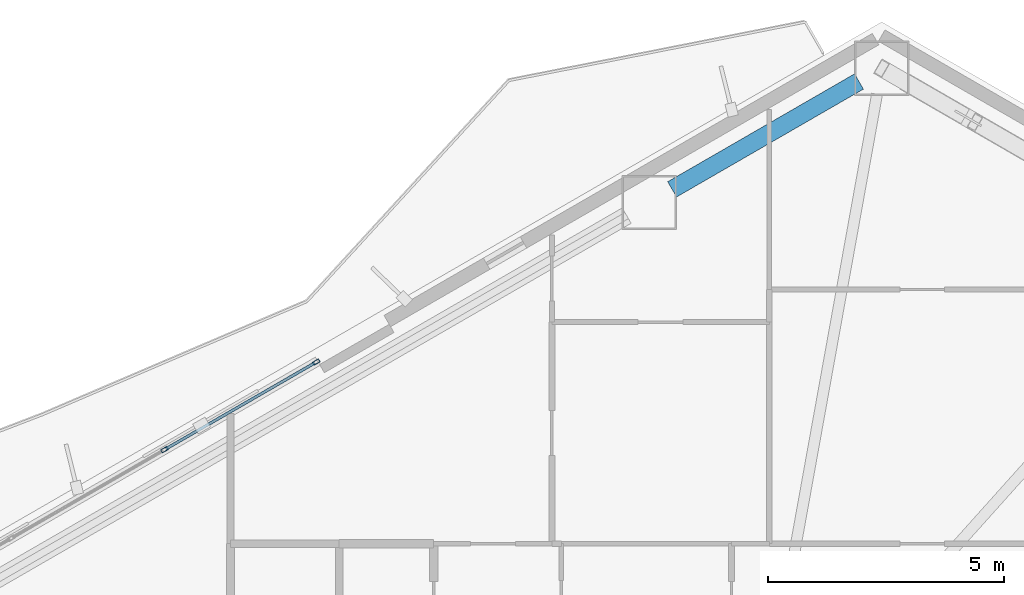
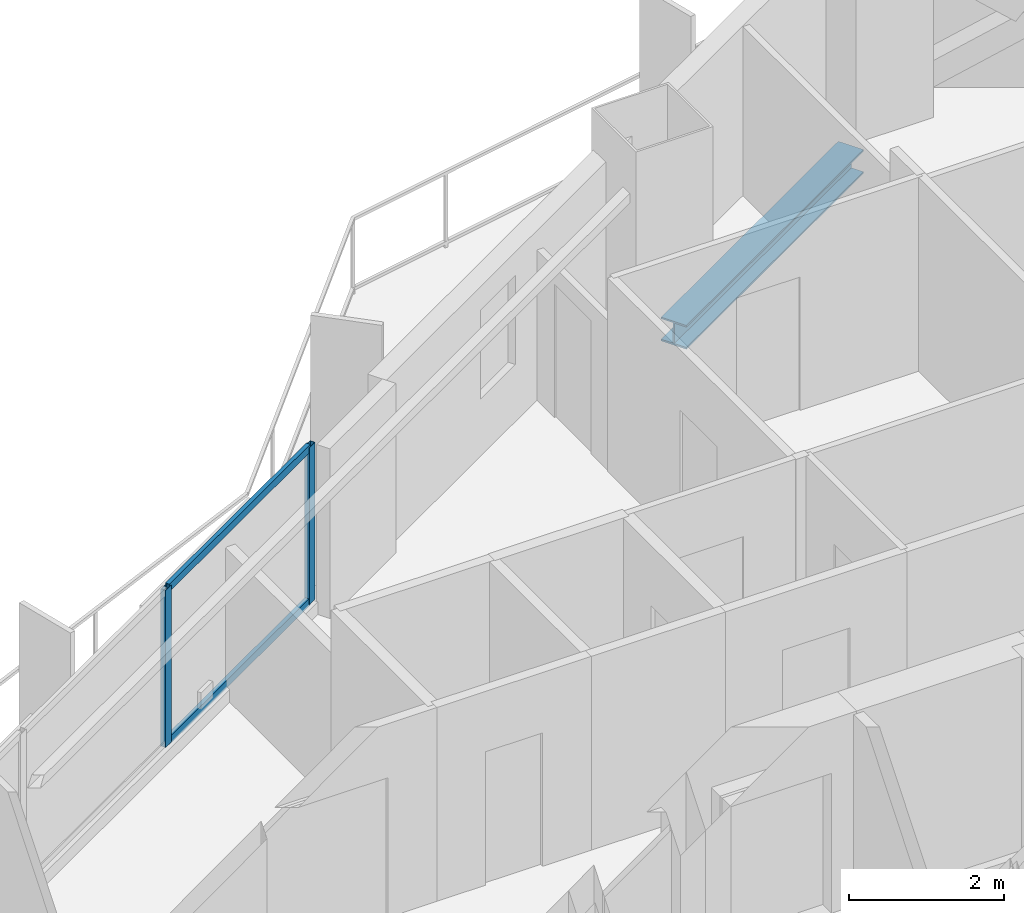
# One storey, part 13 of 23: 4 members, 1 beam, 1 element without a shape of its own.
"""IFC4 building model written with IfcOpenShell, lengths in metres."""

from ifc_helpers import new_model, si_unit, direction, frame, origin, origin_2d, place, context, subcontext, project, spatial, hollow_rectangle, i_section, extrude, material, layer, layer_set, material_profile, profile_set, type_object, element, aggregate, save


model = new_model("IFC4")

# Units and contexts
model_context = context("Model", 3, precision=1e-05, world=origin(), true_north=direction((0.0, 1.0)))
body_context = subcontext(model_context, "Body", "Model", "MODEL_VIEW")
ifc_project = project(units=[si_unit("LENGTHUNIT", "METRE"), si_unit("AREAUNIT", "SQUARE_METRE"), si_unit("VOLUMEUNIT", "CUBIC_METRE"), si_unit("PLANEANGLEUNIT", "RADIAN"), si_unit("MASSUNIT", "GRAM", prefix="KILO")], contexts=[model_context])

# Site, building, storey
site_placement = place(None, origin())
site = spatial("IfcSite", under=ifc_project, at=site_placement, CompositionType="ELEMENT")
building_placement = place(site_placement, origin())
building = spatial("IfcBuilding", under=site, at=building_placement, Name="Mersakhor Tower and Convention Hall", CompositionType="ELEMENT")
storey_placement = place(building_placement, frame((0.0, 0.0, 73.5)))
storey = spatial("IfcBuildingStorey", under=building, at=storey_placement, Name="L19", CompositionType="ELEMENT", Elevation=73.5)

# Beam
ifc_material_1 = material(Name="Steel S355", Category="steel")
ifc_material_profile_1 = material_profile(ifc_material_1, i_section(OverallWidth=0.374755859375, OverallDepth=0.37451171875, WebThickness=0.0166015625, FlangeThickness=0.027099609375, at=origin_2d()), Name="UC 356x368x202")
ifc_profile_set_1 = profile_set([ifc_material_profile_1], Name="Steel S355")
beam_type = type_object("IfcBeamType", Name="BM-SPD-UC356", PredefinedType="SPANDREL", material=ifc_profile_set_1)
beam_placement = place(storey_placement, frame((34.343505859375, 45.34814453125, -0.437255859375), z_axis=(0.866046694585, 0.499963121439, 0.0), x_axis=(-0.499963121439, 0.866046694585, 0.0)))
element("IfcBeam", 1, at=beam_placement, inside=storey, type_object=beam_type, Name="L19 Perimeter Spandrel Beam SPB-03", PredefinedType="SPANDREL", context=body_context, shape_type="SweptSolid", body=[
    extrude(i_section(OverallWidth=0.374755859375, OverallDepth=0.37451171875, WebThickness=0.0166015625, FlangeThickness=0.027099609375, at=origin_2d()), origin(), (0.0, 0.0, 1.0), 4.566162109375),
])

# Curtain wall, members
ifc_material_2 = material(Name="Dark solar low-E aluminium curtain wall", Category="aluminium")
ifc_layer = layer(ifc_material_2, 0.159912109375)
ifc_layer_set = layer_set([ifc_layer], Name="Dark solar low-E aluminium curtain wall")
curtain_wall_type = type_object("IfcCurtainWallType", Name="CW-SYS-01", PredefinedType="USERDEFINED", material=ifc_layer_set)
curtain_wall_placement = place(storey_placement, origin())
curtain_wall = element("IfcCurtainWall", 2, at=curtain_wall_placement, inside=storey, type_object=curtain_wall_type, Name="L19 Dark-Glass Curtain Wall F1-B2", ObjectType="CURTAIN WALL", PredefinedType="USERDEFINED")
ifc_material_3 = material(Name="Anodised aluminium EN AW-6063 T6", Category="aluminium")
ifc_material_profile_2 = material_profile(ifc_material_3, hollow_rectangle(XDim=0.074951171875, YDim=0.14990234375, WallThickness=0.00634765625, at=origin_2d()), Name="RHS 150x75x6.3")
ifc_profile_set_2 = profile_set([ifc_material_profile_2], Name="Anodised aluminium EN AW-6063 T6")
member_type_1 = type_object("IfcMemberType", Name="CWM-150x75", PredefinedType="MULLION", material=ifc_profile_set_2)
member_1_placement = place(storey_placement, frame((23.603515625, 39.840087890625, 0.199951171875), z_axis=(0.0, 0.0, 1.0), x_axis=(-0.499997904985, 0.866026613339, 0.0)))
member_1 = element("IfcMember", 3, at=member_1_placement, type_object=member_type_1, Name="CW-01 mullion 3", PredefinedType="MULLION", context=body_context, shape_type="SweptSolid", body=[
    extrude(hollow_rectangle(XDim=0.074951171875, YDim=0.14990234375, WallThickness=0.00634765625, at=origin_2d()), origin(), (0.0, 0.0, 1.0), 2.469970703125),
])
member_2_placement = place(storey_placement, frame((26.812744140625, 41.69287109375, 0.199951171875), z_axis=(0.0, 0.0, 1.0), x_axis=(-0.499997904985, 0.866026613339, 0.0)))
member_2 = element("IfcMember", 4, at=member_2_placement, type_object=member_type_1, Name="CW-01 mullion 4", PredefinedType="MULLION", context=body_context, shape_type="SweptSolid", body=[
    extrude(hollow_rectangle(XDim=0.074951171875, YDim=0.14990234375, WallThickness=0.00634765625, at=origin_2d()), origin(), (0.0, 0.0, 1.0), 2.469970703125),
])
ifc_material_4 = material(Name="Anodised aluminium EN AW-6063 T6", Category="aluminium")
ifc_material_profile_3 = material_profile(ifc_material_4, hollow_rectangle(XDim=0.06005859375, YDim=0.1201171875, WallThickness=0.0048828125, at=origin_2d()), Name="RHS 120x60x5")
ifc_profile_set_3 = profile_set([ifc_material_profile_3], Name="Anodised aluminium EN AW-6063 T6")
member_type_2 = type_object("IfcMemberType", Name="CWT-120x60", PredefinedType="USERDEFINED", material=ifc_profile_set_3)
member_3_placement = place(storey_placement, frame((23.635986328125, 39.85888671875, 0.22998046875), z_axis=(0.866016497289, 0.500015426185, 0.0), x_axis=(-0.500015426185, 0.866016497289, 0.0)))
member_3 = element("IfcMember", 5, at=member_3_placement, type_object=member_type_2, Name="CW-01 transom 3.1", ObjectType="TRANSOM", PredefinedType="USERDEFINED", context=body_context, shape_type="SweptSolid", body=[
    extrude(hollow_rectangle(XDim=0.06005859375, YDim=0.1201171875, WallThickness=0.0048828125, at=origin_2d()), origin(), (0.0, 0.0, 1.0), 3.630859375),
])
member_4_placement = place(storey_placement, frame((23.635986328125, 39.85888671875, 2.639892578125), z_axis=(0.866016497289, 0.500015426185, 0.0), x_axis=(-0.500015426185, 0.866016497289, 0.0)))
member_4 = element("IfcMember", 6, at=member_4_placement, type_object=member_type_2, Name="CW-01 transom 3.2", ObjectType="TRANSOM", PredefinedType="USERDEFINED", context=body_context, shape_type="SweptSolid", body=[
    extrude(hollow_rectangle(XDim=0.06005859375, YDim=0.1201171875, WallThickness=0.0048828125, at=origin_2d()), origin(), (0.0, 0.0, 1.0), 3.630859375),
])
aggregate(curtain_wall, [member_1, member_2, member_3, member_4])

save(model, "model.ifc")
